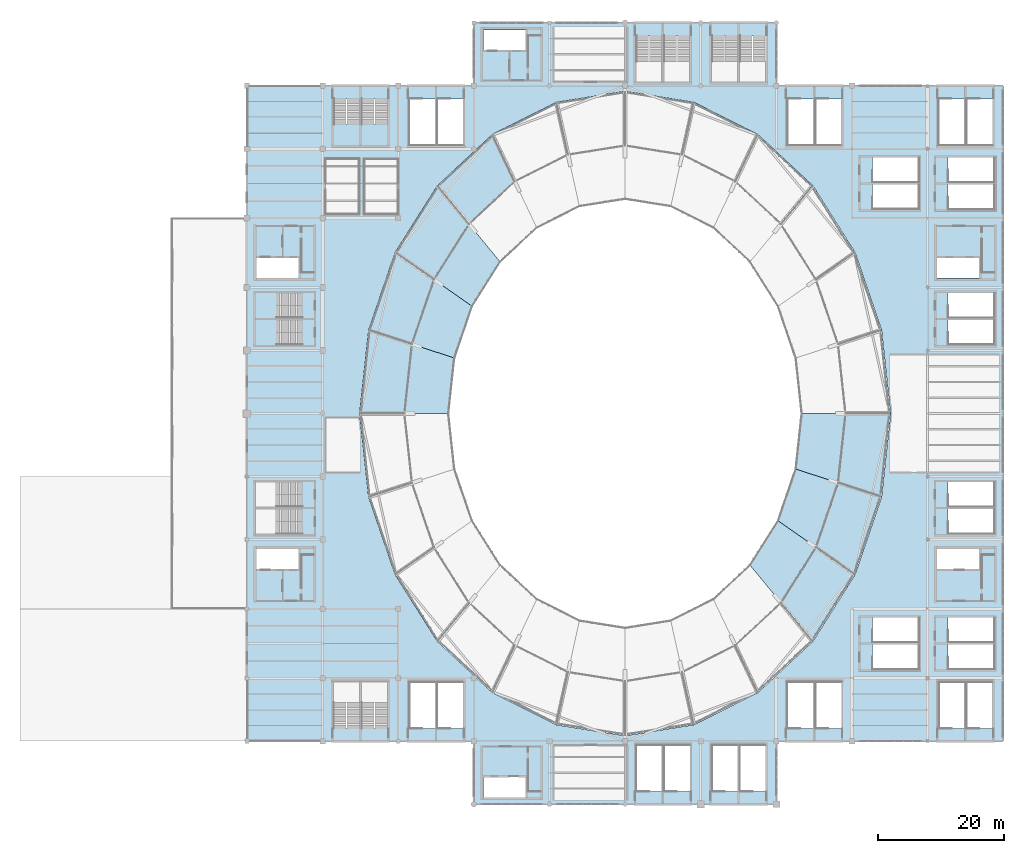
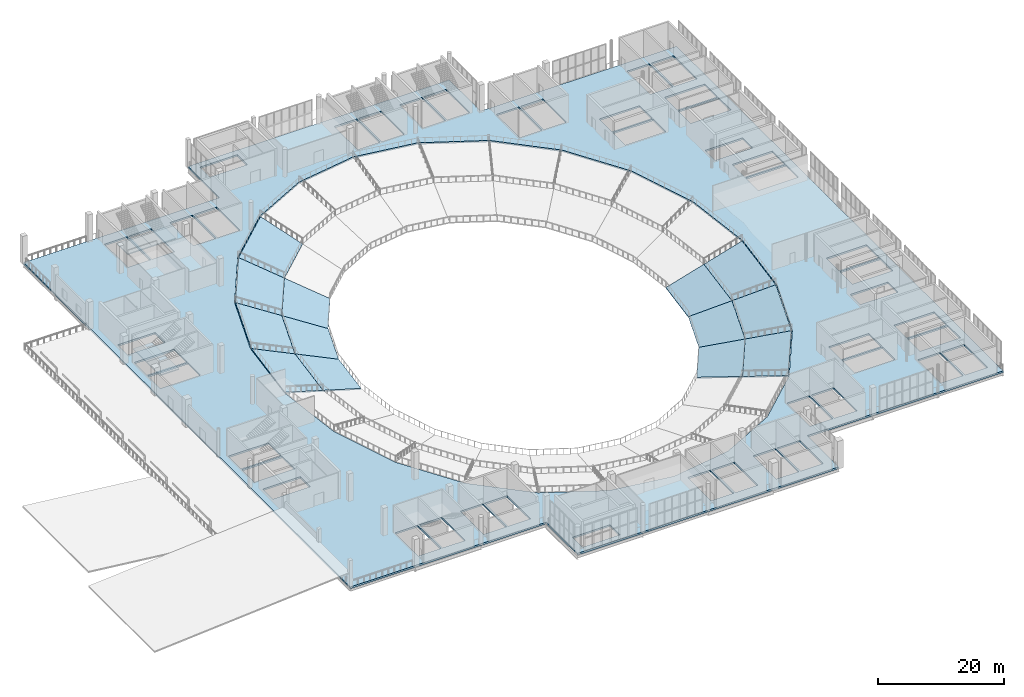
# One storey, part 45 of 74: 18 slabs, 4 elements without a shape of their own.
"""IFC4 building model written with IfcOpenShell, lengths in metres."""

from ifc_helpers import new_model, si_unit, direction, frame, origin, place, context, subcontext, project, spatial, polyline, outline, extrude, material, layer, layer_set, type_object, element, aggregate, save


model = new_model("IFC4")

# Units and contexts
model_context = context("Model", 3, precision=1e-05, world=origin(), true_north=direction((0.0, 1.0)))
body_context = subcontext(model_context, "Body", "Model", "MODEL_VIEW")
ifc_project = project(units=[si_unit("LENGTHUNIT", "METRE"), si_unit("AREAUNIT", "SQUARE_METRE"), si_unit("VOLUMEUNIT", "CUBIC_METRE"), si_unit("PLANEANGLEUNIT", "RADIAN"), si_unit("MASSUNIT", "GRAM", prefix="KILO")], contexts=[model_context])

# Site, building, storey
site_placement = place(None, origin())
site = spatial("IfcSite", under=ifc_project, at=site_placement, CompositionType="ELEMENT")
building_placement = place(site_placement, origin())
building = spatial("IfcBuilding", under=site, at=building_placement, Name="Brinegate Civic Arena", CompositionType="ELEMENT")
storey_placement = place(building_placement, frame((0.0, 0.0, 19.199951171875)))
storey = spatial("IfcBuildingStorey", under=building, at=storey_placement, Name="L04", CompositionType="ELEMENT", Elevation=19.199951171875)

# Slab
ifc_material_1 = material(Name="Concrete C40/50", Category="concrete")
ifc_layer_1 = layer(ifc_material_1, 0.340087890625, Name="Concrete C40/50")
ifc_layer_set_1 = layer_set([ifc_layer_1], Name="Concrete C40/50")
slab_type_1 = type_object("IfcSlabType", Name="SLAB-CONC-340", PredefinedType="FLOOR", material=ifc_layer_set_1)
slab_1_placement = place(storey_placement, frame((0.0, 0.0, -0.33984375)))
element("IfcSlab", 1, at=slab_1_placement, inside=storey, type_object=slab_type_1, Name="Upper Spectator Concourse Ring Slab", PredefinedType="FLOOR", context=body_context, shape_type="SweptSolid", body=[
    extrude(outline(polyline([(84.0, 114.0), (84.0, 124.0), (132.0, 124.0), (132.0, 114.0), (168.0, 114.0), (168.0, 10.0), (132.0, 10.0), (132.0, 0.0), (84.0, 0.0), (84.0, 10.0), (48.0, 10.0), (48.0, 114.0), (84.0, 114.0)]), holes=[polyline([(85.5, 1.10009765625), (92.39990234375, 1.10009765625), (92.39990234375, 4.300048828125), (85.5, 4.300048828125), (85.5, 1.10009765625)]), polyline([(61.695068359375, 12.050048828125), (65.85498046875, 12.050048828125), (65.85498046875, 19.455078125), (61.695068359375, 19.455078125), (61.695068359375, 12.050048828125)]), polyline([(66.14501953125, 12.050048828125), (70.304931640625, 12.050048828125), (70.304931640625, 19.455078125), (66.14501953125, 19.455078125), (66.14501953125, 12.050048828125)]), polyline([(73.695068359375, 19.455078125), (73.695068359375, 12.050048828125), (77.85498046875, 12.050048828125), (77.85498046875, 19.455078125), (73.695068359375, 19.455078125)]), polyline([(78.14501953125, 19.455078125), (78.14501953125, 12.050048828125), (82.304931640625, 12.050048828125), (82.304931640625, 19.455078125), (78.14501953125, 19.455078125)]), polyline([(49.5, 37.300048828125), (56.39990234375, 37.300048828125), (56.39990234375, 40.5), (49.5, 40.5), (49.5, 37.300048828125)]), polyline([(49.344970703125, 46.85498046875), (49.344970703125, 42.844970703125), (56.75, 42.844970703125), (56.75, 46.85498046875), (49.344970703125, 46.85498046875)]), polyline([(49.344970703125, 51.155029296875), (49.344970703125, 47.14501953125), (56.75, 47.14501953125), (56.75, 51.155029296875), (49.344970703125, 51.155029296875)]), polyline([(49.344970703125, 72.844970703125), (56.75, 72.844970703125), (56.75, 76.85498046875), (49.344970703125, 76.85498046875), (49.344970703125, 72.844970703125)]), polyline([(49.344970703125, 81.155029296875), (49.344970703125, 77.14501953125), (56.75, 77.14501953125), (56.75, 81.155029296875), (49.344970703125, 81.155029296875)]), polyline([(49.5, 86.699951171875), (49.5, 83.5), (56.39990234375, 83.5), (56.39990234375, 86.699951171875), (49.5, 86.699951171875)]), polyline([(61.695068359375, 104.544921875), (65.85498046875, 104.544921875), (65.85498046875, 111.949951171875), (61.695068359375, 111.949951171875), (61.695068359375, 104.544921875)]), polyline([(66.14501953125, 111.949951171875), (66.14501953125, 104.544921875), (70.304931640625, 104.544921875), (70.304931640625, 111.949951171875), (66.14501953125, 111.949951171875)]), polyline([(73.695068359375, 111.949951171875), (73.695068359375, 104.544921875), (77.85498046875, 104.544921875), (77.85498046875, 111.949951171875), (73.695068359375, 111.949951171875)]), polyline([(78.14501953125, 104.544921875), (82.304931640625, 104.544921875), (82.304931640625, 111.949951171875), (78.14501953125, 111.949951171875), (78.14501953125, 104.544921875)]), polyline([(85.5, 122.89990234375), (85.5, 119.699951171875), (92.39990234375, 119.699951171875), (92.39990234375, 122.89990234375), (85.5, 122.89990234375)]), polyline([(109.695068359375, 9.455078125), (109.695068359375, 2.050048828125), (113.85498046875, 2.050048828125), (113.85498046875, 9.455078125), (109.695068359375, 9.455078125)]), polyline([(114.14501953125, 2.050048828125), (118.304931640625, 2.050048828125), (118.304931640625, 9.455078125), (114.14501953125, 9.455078125), (114.14501953125, 2.050048828125)]), polyline([(121.695068359375, 9.455078125), (121.695068359375, 2.050048828125), (125.85498046875, 2.050048828125), (125.85498046875, 9.455078125), (121.695068359375, 9.455078125)]), polyline([(126.14501953125, 9.455078125), (126.14501953125, 2.050048828125), (130.304931640625, 2.050048828125), (130.304931640625, 9.455078125), (126.14501953125, 9.455078125)]), polyline([(133.695068359375, 12.050048828125), (137.85498046875, 12.050048828125), (137.85498046875, 19.455078125), (133.695068359375, 19.455078125), (133.695068359375, 12.050048828125)]), polyline([(138.14501953125, 19.455078125), (138.14501953125, 12.050048828125), (142.304931640625, 12.050048828125), (142.304931640625, 19.455078125), (138.14501953125, 19.455078125)]), polyline([(147.25, 25.35498046875), (147.25, 21.344970703125), (154.655029296875, 21.344970703125), (154.655029296875, 25.35498046875), (147.25, 25.35498046875)]), polyline([(147.25, 25.64501953125), (154.655029296875, 25.64501953125), (154.655029296875, 29.655029296875), (147.25, 29.655029296875), (147.25, 25.64501953125)]), polyline([(118.906982421875, 12.60302734375), (129.070068359375, 17.7109375), (137.797119140625, 25.839111328125), (144.493896484375, 36.429931640625), (148.7041015625, 48.763916015625), (150.139892578125, 62.0), (148.7041015625, 75.236083984375), (144.493896484375, 87.570068359375), (137.797119140625, 98.160888671875), (129.070068359375, 106.2890625), (118.906982421875, 111.39697265625), (108.0, 113.139892578125), (97.093017578125, 111.39697265625), (86.929931640625, 106.2890625), (78.202880859375, 98.160888671875), (71.506103515625, 87.570068359375), (67.2958984375, 75.236083984375), (65.860107421875, 62.0), (67.2958984375, 48.763916015625), (71.506103515625, 36.429931640625), (78.202880859375, 25.839111328125), (86.929931640625, 17.7109375), (97.093017578125, 12.60302734375), (108.0, 10.860107421875), (118.906982421875, 12.60302734375)]), polyline([(147.25, 98.35498046875), (147.25, 94.344970703125), (154.655029296875, 94.344970703125), (154.655029296875, 98.35498046875), (147.25, 98.35498046875)]), polyline([(133.695068359375, 104.544921875), (137.85498046875, 104.544921875), (137.85498046875, 111.949951171875), (133.695068359375, 111.949951171875), (133.695068359375, 104.544921875)]), polyline([(138.14501953125, 111.949951171875), (138.14501953125, 104.544921875), (142.304931640625, 104.544921875), (142.304931640625, 111.949951171875), (138.14501953125, 111.949951171875)]), polyline([(109.695068359375, 121.949951171875), (109.695068359375, 114.544921875), (113.85498046875, 114.544921875), (113.85498046875, 121.949951171875), (109.695068359375, 121.949951171875)]), polyline([(114.14501953125, 114.544921875), (118.304931640625, 114.544921875), (118.304931640625, 121.949951171875), (114.14501953125, 121.949951171875), (114.14501953125, 114.544921875)]), polyline([(121.695068359375, 121.949951171875), (121.695068359375, 114.544921875), (125.85498046875, 114.544921875), (125.85498046875, 121.949951171875), (121.695068359375, 121.949951171875)]), polyline([(126.14501953125, 121.949951171875), (126.14501953125, 114.544921875), (130.304931640625, 114.544921875), (130.304931640625, 121.949951171875), (126.14501953125, 121.949951171875)]), polyline([(157.695068359375, 12.050048828125), (161.85498046875, 12.050048828125), (161.85498046875, 19.455078125), (157.695068359375, 19.455078125), (157.695068359375, 12.050048828125)]), polyline([(162.14501953125, 19.455078125), (162.14501953125, 12.050048828125), (166.304931640625, 12.050048828125), (166.304931640625, 19.455078125), (162.14501953125, 19.455078125)]), polyline([(159.25, 25.35498046875), (159.25, 21.344970703125), (166.655029296875, 21.344970703125), (166.655029296875, 25.35498046875), (159.25, 25.35498046875)]), polyline([(159.25, 25.64501953125), (166.655029296875, 25.64501953125), (166.655029296875, 29.655029296875), (159.25, 29.655029296875), (159.25, 25.64501953125)]), polyline([(157.5, 40.5), (157.5, 37.300048828125), (164.39990234375, 37.300048828125), (164.39990234375, 40.5), (157.5, 40.5)]), polyline([(159.25, 46.85498046875), (159.25, 42.844970703125), (166.655029296875, 42.844970703125), (166.655029296875, 46.85498046875), (159.25, 46.85498046875)]), polyline([(159.25, 47.14501953125), (166.655029296875, 47.14501953125), (166.655029296875, 51.155029296875), (159.25, 51.155029296875), (159.25, 47.14501953125)]), polyline([(159.25, 76.85498046875), (159.25, 72.844970703125), (166.655029296875, 72.844970703125), (166.655029296875, 76.85498046875), (159.25, 76.85498046875)]), polyline([(159.25, 81.155029296875), (159.25, 77.14501953125), (166.655029296875, 77.14501953125), (166.655029296875, 81.155029296875), (159.25, 81.155029296875)]), polyline([(157.5, 83.5), (164.39990234375, 83.5), (164.39990234375, 86.699951171875), (157.5, 86.699951171875), (157.5, 83.5)]), polyline([(159.25, 98.35498046875), (159.25, 94.344970703125), (166.655029296875, 94.344970703125), (166.655029296875, 98.35498046875), (159.25, 98.35498046875)]), polyline([(147.25, 102.655029296875), (147.25, 98.64501953125), (154.655029296875, 98.64501953125), (154.655029296875, 102.655029296875), (147.25, 102.655029296875)]), polyline([(159.25, 98.64501953125), (166.655029296875, 98.64501953125), (166.655029296875, 102.655029296875), (159.25, 102.655029296875), (159.25, 98.64501953125)]), polyline([(157.695068359375, 111.949951171875), (157.695068359375, 104.544921875), (161.85498046875, 104.544921875), (161.85498046875, 111.949951171875), (157.695068359375, 111.949951171875)]), polyline([(162.14501953125, 111.949951171875), (162.14501953125, 104.544921875), (166.304931640625, 104.544921875), (166.304931640625, 111.949951171875), (162.14501953125, 111.949951171875)])]), origin(), (0.0, 0.0, 1.0), 0.33984375),
])

# Stair, slab
stair_type_1 = type_object("IfcStairType", Name="STAIR-EXIT-3850", PredefinedType="HALF_TURN_STAIR", material=ifc_material_1)
stair_1_placement = place(storey_placement, origin())
stair_1 = element("IfcStair", 2, at=stair_1_placement, inside=storey, type_object=stair_type_1, Name="Protected Exit Stair ST-01A (L04)", PredefinedType="HALF_TURN_STAIR")
ifc_layer_2 = layer(ifc_material_1, 0.179931640625, Name="Concrete C40/50")
ifc_layer_set_2 = layer_set([ifc_layer_2], Name="Concrete C40/50")
slab_type_2 = type_object("IfcSlabType", Name="SLAB-LANDING-180", PredefinedType="LANDING", material=ifc_layer_set_2)
slab_2_placement = place(storey_placement, frame((0.0, 0.0, 2.52001953125)))
slab_2 = element("IfcSlab", 3, at=slab_2_placement, type_object=slab_type_2, Name="ST-01A landing 1", PredefinedType="LANDING", context=body_context, shape_type="SweptSolid", body=[
    extrude(outline(polyline([(61.574951171875, 104.39990234375), (66.0048828125, 104.39990234375), (66.0048828125, 107.909912109375), (61.574951171875, 107.909912109375), (61.574951171875, 104.39990234375)])), origin(), (0.0, 0.0, 1.0), 0.179931640625),
])
aggregate(stair_1, [slab_2])

stair_type_2 = type_object("IfcStairType", Name="STAIR-EXIT-3700", PredefinedType="HALF_TURN_STAIR", material=ifc_material_1)
stair_2_placement = place(storey_placement, origin())
stair_2 = element("IfcStair", 4, at=stair_2_placement, inside=storey, type_object=stair_type_2, Name="Protected Exit Stair ST-01B (L04)", PredefinedType="HALF_TURN_STAIR")
slab_3_placement = place(storey_placement, frame((0.0, 0.0, 2.52001953125)))
slab_3 = element("IfcSlab", 5, at=slab_3_placement, type_object=slab_type_2, Name="ST-01B landing 1", PredefinedType="LANDING", context=body_context, shape_type="SweptSolid", body=[
    extrude(outline(polyline([(65.9951171875, 104.39990234375), (70.425048828125, 104.39990234375), (70.425048828125, 107.909912109375), (65.9951171875, 107.909912109375), (65.9951171875, 104.39990234375)])), origin(), (0.0, 0.0, 1.0), 0.179931640625),
])
aggregate(stair_2, [slab_3])

stair_3_placement = place(storey_placement, origin())
stair_3 = element("IfcStair", 6, at=stair_3_placement, inside=storey, type_object=stair_type_1, Name="Protected Exit Stair ST-07A (L04)", PredefinedType="HALF_TURN_STAIR")
slab_4_placement = place(storey_placement, frame((0.0, 0.0, 2.52001953125)))
slab_4 = element("IfcSlab", 7, at=slab_4_placement, type_object=slab_type_2, Name="ST-07A landing 1", PredefinedType="LANDING", context=body_context, shape_type="SweptSolid", body=[
    extrude(outline(polyline([(49.199951171875, 72.72509765625), (52.7099609375, 72.72509765625), (52.7099609375, 77.0048828125), (49.199951171875, 77.0048828125), (49.199951171875, 72.72509765625)])), origin(), (0.0, 0.0, 1.0), 0.179931640625),
])
aggregate(stair_3, [slab_4])

stair_4_placement = place(storey_placement, origin())
stair_4 = element("IfcStair", 8, at=stair_4_placement, inside=storey, type_object=stair_type_2, Name="Protected Exit Stair ST-07B (L04)", PredefinedType="HALF_TURN_STAIR")
slab_5_placement = place(storey_placement, frame((0.0, 0.0, 2.52001953125)))
slab_5 = element("IfcSlab", 9, at=slab_5_placement, type_object=slab_type_2, Name="ST-07B landing 1", PredefinedType="LANDING", context=body_context, shape_type="SweptSolid", body=[
    extrude(outline(polyline([(49.199951171875, 76.9951171875), (52.7099609375, 76.9951171875), (52.7099609375, 81.27490234375), (49.199951171875, 81.27490234375), (49.199951171875, 76.9951171875)])), origin(), (0.0, 0.0, 1.0), 0.179931640625),
])
aggregate(stair_4, [slab_5])

# Slabs
ifc_material_2 = material(Name="Precast concrete C45/55", Category="concrete")
ifc_layer_3 = layer(ifc_material_2, 0.239990234375, Name="Precast concrete C45/55")
ifc_layer_set_3 = layer_set([ifc_layer_3], Name="Precast concrete C45/55")
slab_type_3 = type_object("IfcSlabType", Name="SLAB-TIER-UPR-240", PredefinedType="USERDEFINED", material=ifc_layer_set_3)
slab_6_placement = place(storey_placement, frame((90.5, 98.805908203125, -2.074951171875), z_axis=(0.175858495648, -0.188736832132, 0.966153299278), x_axis=(-0.731649908574, -0.681680578574, 8.921293e-06)))
element("IfcSlab", 10, at=slab_6_placement, inside=storey, type_object=slab_type_3, Name="Stand Upper Tier Bay B09", ObjectType="SEATING TIER", PredefinedType="USERDEFINED", context=body_context, shape_type="SweptSolid", body=[
    extrude(outline(polyline([(0.0, 0.0), (9.907754055427679, -1.7763568394002505e-15), (9.431782452891708, -8.043098933745707), (-2.4571147981442443, -8.043852724351582), (0.0, 0.0)])), origin(), (0.0, 0.0, -1.0), 0.239990234375),
])
slab_7_placement = place(storey_placement, frame((88.200927734375, 86.0419921875, -4.14990234375), z_axis=(0.228380275315, -0.144315557119, 0.962816425816), x_axis=(-0.534196640845, -0.845360248005, 1.39253e-06)))
element("IfcSlab", 11, at=slab_7_placement, inside=storey, type_object=slab_type_3, Name="Stand Upper Tier Bay A10", ObjectType="SEATING TIER", PredefinedType="USERDEFINED", context=body_context, shape_type="SweptSolid", body=[
    extrude(outline(polyline([(0.0, 0.0), (8.330169230017933, 4.440892098500626e-16), (7.975697362349533, -7.680511580540342), (-2.4363731681861913, -7.680608188009412), (0.0, 0.0)])), origin(), (0.0, 0.0, -1.0), 0.239990234375),
])
slab_8_placement = place(storey_placement, frame((83.2509765625, 92.052001953125, -2.074951171875), z_axis=(0.228386886849, -0.144328764162, 0.962812877849), x_axis=(-0.534190832175, -0.845363918528, -8.463207e-06)))
element("IfcSlab", 12, at=slab_8_placement, inside=storey, type_object=slab_type_3, Name="Stand Upper Tier Bay B10", ObjectType="SEATING TIER", PredefinedType="USERDEFINED", context=body_context, shape_type="SweptSolid", body=[
    extrude(outline(polyline([(0.0, 0.0), (10.41207053058863, 0.0), (10.057527400797829, -7.680508290775388), (-2.4369661016053072, -7.679790729184093), (0.0, 0.0)])), origin(), (0.0, 0.0, -1.0), 0.239990234375),
])
slab_9_placement = place(storey_placement, frame((83.7509765625, 79.0, -4.14990234375), z_axis=(0.265175122543, -0.090443275642, 0.959949044624), x_axis=(-0.322821571366, -0.94645984228, 3.45992e-06)))
element("IfcSlab", 13, at=slab_9_placement, inside=storey, type_object=slab_type_3, Name="Stand Upper Tier Bay A11", ObjectType="SEATING TIER", PredefinedType="USERDEFINED", context=body_context, shape_type="SweptSolid", body=[
    extrude(outline(polyline([(0.0, 0.0), (8.663816075251372, 0.0), (8.764250045687463, -7.405812357196214), (-2.065499001840912, -7.4060530862495755), (0.0, 0.0)])), origin(), (0.0, 0.0, -1.0), 0.239990234375),
])
slab_10_placement = place(storey_placement, frame((77.68896484375, 83.25, -2.074951171875), z_axis=(0.265151569583, -0.090444057287, 0.95995547691), x_axis=(-0.322803587554, -0.946465976011, -1.0776591e-05)))
element("IfcSlab", 14, at=slab_10_placement, inside=storey, type_object=slab_type_3, Name="Stand Upper Tier Bay B11", ObjectType="SEATING TIER", PredefinedType="USERDEFINED", context=body_context, shape_type="SweptSolid", body=[
    extrude(outline(polyline([(0.0, 0.0), (10.829749049566503, 4.440892098500626e-16), (10.930412445069088, -7.406923674766175), (-2.0656636283420973, -7.406007170108031), (0.0, 0.0)])), origin(), (0.0, 0.0, -1.0), 0.239990234375),
])
slab_11_placement = place(storey_placement, frame((80.9541015625, 70.800048828125, -4.14990234375), z_axis=(0.284072083062, -0.030806204246, 0.958307899062), x_axis=(-0.107790365794, -0.994173645294, -6.76466e-06)))
element("IfcSlab", 15, at=slab_11_placement, inside=storey, type_object=slab_type_3, Name="Stand Upper Tier Bay A12", ObjectType="SEATING TIER", PredefinedType="USERDEFINED", context=body_context, shape_type="SweptSolid", body=[
    extrude(outline(polyline([(0.0, 0.0), (8.851619578644632, -3.3306690738754696e-16), (9.606138102861056, -7.261964208007058), (-1.4583783229155012, -7.261492705824252), (0.0, 0.0)])), origin(), (0.0, 0.0, -1.0), 0.239990234375),
])
slab_12_placement = place(storey_placement, frame((74.193115234375, 73.0, -2.074951171875), z_axis=(0.284049949651, -0.03079980286, 0.95831466557), x_axis=(-0.107829835368, -0.994169365108, 9.223331e-06)))
element("IfcSlab", 16, at=slab_12_placement, inside=storey, type_object=slab_type_3, Name="Stand Upper Tier Bay B12", ObjectType="SEATING TIER", PredefinedType="USERDEFINED", context=body_context, shape_type="SweptSolid", body=[
    extrude(outline(polyline([(0.0, 0.0), (11.064516435486796, 0.0), (11.819344421026125, -7.261932047779832), (-1.4579372509444386, -7.262717839676469), (0.0, 0.0)])), origin(), (0.0, 0.0, -1.0), 0.239990234375),
])
slab_13_placement = place(storey_placement, frame((127.799072265625, 37.9580078125, -4.14990234375), z_axis=(-0.228380275315, 0.144315557119, 0.962816425816), x_axis=(0.534196640845, 0.845360248005, 1.39253e-06)))
element("IfcSlab", 17, at=slab_13_placement, inside=storey, type_object=slab_type_3, Name="Stand Upper Tier Bay A22", ObjectType="SEATING TIER", PredefinedType="USERDEFINED", context=body_context, shape_type="SweptSolid", body=[
    extrude(outline(polyline([(0.0, 0.0), (8.330169230017933, 4.440892098500626e-16), (7.975697362349533, -7.680511580540342), (-2.4363731681861913, -7.680608188009412), (0.0, 0.0)])), origin(), (0.0, 0.0, -1.0), 0.239990234375),
])
slab_14_placement = place(storey_placement, frame((132.7490234375, 31.947998046875, -2.074951171875), z_axis=(-0.228386886849, 0.144328764162, 0.962812877849), x_axis=(0.534190832175, 0.845363918528, -8.463207e-06)))
element("IfcSlab", 18, at=slab_14_placement, inside=storey, type_object=slab_type_3, Name="Stand Upper Tier Bay B22", ObjectType="SEATING TIER", PredefinedType="USERDEFINED", context=body_context, shape_type="SweptSolid", body=[
    extrude(outline(polyline([(0.0, 0.0), (10.41207053058863, 0.0), (10.057527400797829, -7.680508290775388), (-2.4369661016053072, -7.679790729184093), (0.0, 0.0)])), origin(), (0.0, 0.0, -1.0), 0.239990234375),
])
slab_15_placement = place(storey_placement, frame((132.2490234375, 45.0, -4.14990234375), z_axis=(-0.265175122543, 0.090443275642, 0.959949044624), x_axis=(0.322821571366, 0.94645984228, 3.45992e-06)))
element("IfcSlab", 19, at=slab_15_placement, inside=storey, type_object=slab_type_3, Name="Stand Upper Tier Bay A23", ObjectType="SEATING TIER", PredefinedType="USERDEFINED", context=body_context, shape_type="SweptSolid", body=[
    extrude(outline(polyline([(0.0, 0.0), (8.663816075251372, 0.0), (8.764250045687463, -7.405812357196214), (-2.065499001840912, -7.4060530862495755), (0.0, 0.0)])), origin(), (0.0, 0.0, -1.0), 0.239990234375),
])
slab_16_placement = place(storey_placement, frame((138.31103515625, 40.75, -2.074951171875), z_axis=(-0.265151569583, 0.090444057287, 0.95995547691), x_axis=(0.322803587554, 0.946465976011, -1.0776591e-05)))
element("IfcSlab", 20, at=slab_16_placement, inside=storey, type_object=slab_type_3, Name="Stand Upper Tier Bay B23", ObjectType="SEATING TIER", PredefinedType="USERDEFINED", context=body_context, shape_type="SweptSolid", body=[
    extrude(outline(polyline([(0.0, 0.0), (10.829749049566503, 4.440892098500626e-16), (10.930412445069088, -7.406923674766175), (-2.0656636283420973, -7.406007170108031), (0.0, 0.0)])), origin(), (0.0, 0.0, -1.0), 0.239990234375),
])
slab_17_placement = place(storey_placement, frame((135.0458984375, 53.199951171875, -4.14990234375), z_axis=(-0.284072083062, 0.030806204246, 0.958307899062), x_axis=(0.107790365794, 0.994173645294, -6.76466e-06)))
element("IfcSlab", 21, at=slab_17_placement, inside=storey, type_object=slab_type_3, Name="Stand Upper Tier Bay A24", ObjectType="SEATING TIER", PredefinedType="USERDEFINED", context=body_context, shape_type="SweptSolid", body=[
    extrude(outline(polyline([(0.0, 0.0), (8.851619578644632, -3.3306690738754696e-16), (9.606138102861056, -7.261964208007058), (-1.4583783229155012, -7.261492705824252), (0.0, 0.0)])), origin(), (0.0, 0.0, -1.0), 0.239990234375),
])
slab_18_placement = place(storey_placement, frame((141.806884765625, 51.0, -2.074951171875), z_axis=(-0.284049949651, 0.03079980286, 0.95831466557), x_axis=(0.107829835368, 0.994169365108, 9.223331e-06)))
element("IfcSlab", 22, at=slab_18_placement, inside=storey, type_object=slab_type_3, Name="Stand Upper Tier Bay B24", ObjectType="SEATING TIER", PredefinedType="USERDEFINED", context=body_context, shape_type="SweptSolid", body=[
    extrude(outline(polyline([(0.0, 0.0), (11.064516435486796, 0.0), (11.819344421026125, -7.261932047779832), (-1.4579372509444386, -7.262717839676469), (0.0, 0.0)])), origin(), (0.0, 0.0, -1.0), 0.239990234375),
])

save(model, "model.ifc")
